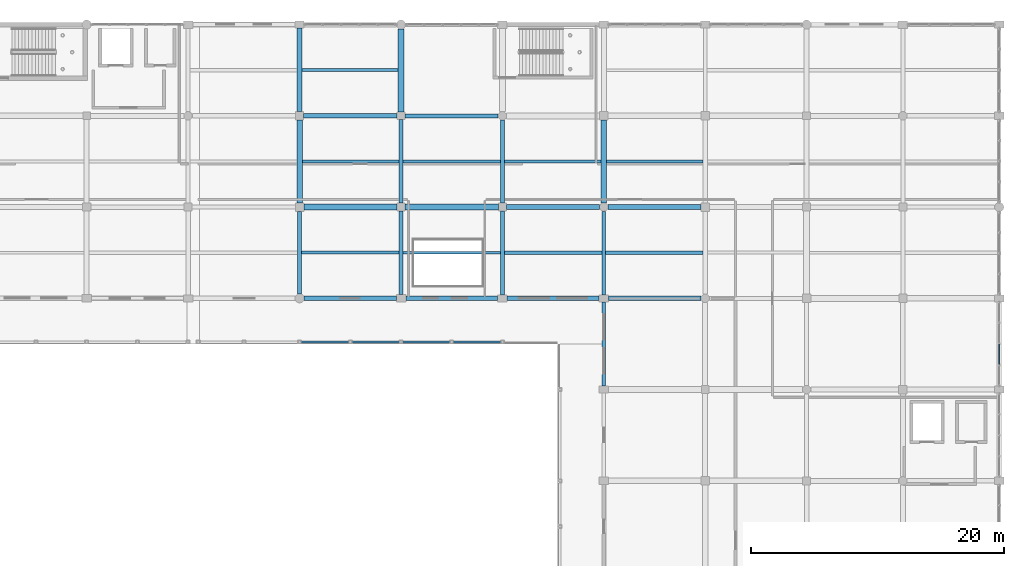
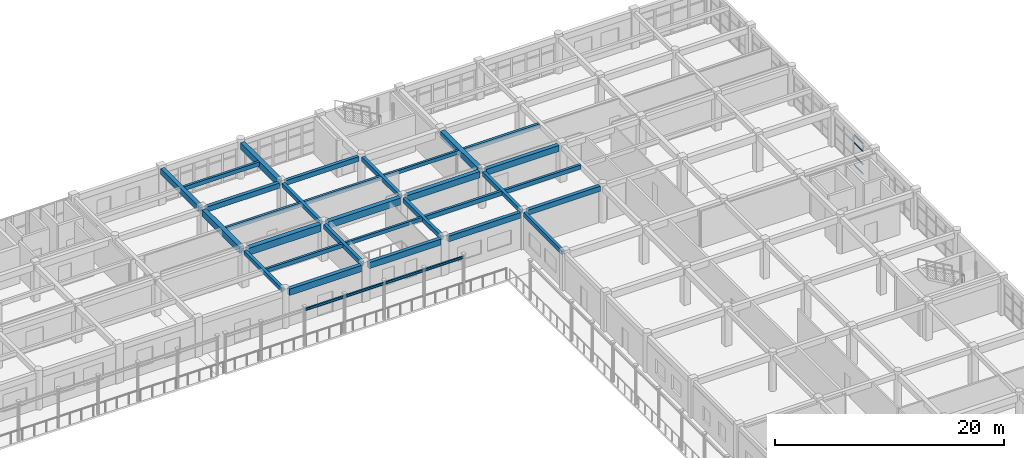
# One storey, part 134 of 195: 32 beams, 4 members, 1 element without a shape of its own.
"""IFC4 building model written with IfcOpenShell, lengths in metres."""

import ifcopenshell
import ifcopenshell.guid

model = None  # the IFC model being written
_history = None  # IfcOwnerHistory: only IFC2X3 demands one
_inside = {}  # id of a spatial element -> (the spatial element, [elements in it])
_under = {}  # id of a project, library or spatial element -> (it, [spatial elements below it])
_declared = {}  # id of a project -> (the project, [libraries it declares])
_typed = {}  # id of a type object -> (the type object, [elements of that type])
_made_of = {}  # id of a material, layer set ... -> (it, [elements and type objects made of it])


def new_model(schema):
    """Start an empty IFC model of exactly this schema.

    Asked for "IFC4X3", IfcOpenShell would pick the latest addendum, in which some entities
    have other attributes; the version numbers below select the first issue.
    IFC2X3 requires an IfcOwnerHistory on every rooted entity: one is made here for all.
    """
    global model, _history
    if schema == "IFC4X3":
        model = ifcopenshell.file(schema_version=(4, 3, 0, 0))
    else:
        model = ifcopenshell.file(schema=schema)
    _inside.clear()
    _under.clear()
    _declared.clear()
    _typed.clear()
    _made_of.clear()
    _history = None
    if model.schema == "IFC2X3":
        org = make("IfcOrganization", Name="unknown")
        user = make(
            "IfcPersonAndOrganization",
            ThePerson=make("IfcPerson", FamilyName="unknown"),
            TheOrganization=org,
        )
        app = make(
            "IfcApplication",
            ApplicationDeveloper=org,
            Version="unknown",
            ApplicationFullName="unknown",
            ApplicationIdentifier="unknown",
        )
        _history = make(
            "IfcOwnerHistory",
            OwningUser=user,
            OwningApplication=app,
            ChangeAction="ADDED",
            CreationDate=0,
        )
    return model


def make(cls, **values):
    """One entity of the class cls with the attributes given. An attribute that is None is left unset."""
    return model.create_entity(
        cls, **{name: value for name, value in values.items() if value is not None}
    )


def rooted(cls, **values):
    """An entity with a GlobalId (a new one), such as an element, a storey or a relation."""
    return make(cls, GlobalId=ifcopenshell.guid.new(), OwnerHistory=_history, **values)


def si_unit(unit_type, name, prefix=None):
    """IfcSIUnit, for example si_unit("LENGTHUNIT", "METRE", prefix="MILLI")."""
    return make("IfcSIUnit", UnitType=unit_type, Prefix=prefix, Name=name)


def assignment(units):
    """IfcUnitAssignment: the units of a project."""
    return None if units is None else make("IfcUnitAssignment", Units=units)


def point(xyz):
    """IfcCartesianPoint."""
    return None if xyz is None else make("IfcCartesianPoint", Coordinates=xyz)


def direction(xyz):
    """IfcDirection."""
    return None if xyz is None else make("IfcDirection", DirectionRatios=xyz)


def frame(location, z_axis=None, x_axis=None):
    """IfcAxis2Placement3D, a coordinate frame: its origin and axes. An axis left out is left unset."""
    return make(
        "IfcAxis2Placement3D",
        Location=point(location),
        Axis=direction(z_axis),
        RefDirection=direction(x_axis),
    )


def frame_2d(location, x_axis=None):
    """IfcAxis2Placement2D, a coordinate frame in the plane: its origin and x axis."""
    return make(
        "IfcAxis2Placement2D", Location=point(location), RefDirection=direction(x_axis)
    )


def origin():
    """The frame at (0, 0, 0) with its axes left unset."""
    return frame((0.0, 0.0, 0.0))


def origin_2d():
    """The frame at (0, 0) in the plane with its x axis left unset."""
    return frame_2d((0.0, 0.0))


def place(relative_to, where):
    """IfcLocalPlacement: puts the frame where relative to a parent placement (None: the world)."""
    return make(
        "IfcLocalPlacement", PlacementRelTo=relative_to, RelativePlacement=where
    )


def context(
    kind, dimensions, precision=None, world=None, true_north=None, identifier=None
):
    """IfcGeometricRepresentationContext, for example the 3D "Model" context."""
    return make(
        "IfcGeometricRepresentationContext",
        ContextIdentifier=identifier,
        ContextType=kind,
        CoordinateSpaceDimension=dimensions,
        Precision=precision,
        WorldCoordinateSystem=world,
        TrueNorth=true_north,
    )


def subcontext(parent, identifier, kind, view, scale=None):
    """IfcGeometricRepresentationSubContext, for example "Body" below "Model"."""
    return make(
        "IfcGeometricRepresentationSubContext",
        ContextIdentifier=identifier,
        ContextType=kind,
        ParentContext=parent,
        TargetScale=scale,
        TargetView=view,
    )


def project(units=None, contexts=None):
    """IfcProject with its units and contexts."""
    return rooted(
        "IfcProject",
        Name="project",
        RepresentationContexts=contexts,
        UnitsInContext=assignment(units),
    )


def spatial(cls, under=None, at=None, **own):
    """A site, building, storey or space (cls), placed at a placement, below another one or the project."""
    s = rooted(cls, ObjectPlacement=at, **own)
    if under is not None:
        _under.setdefault(under.id(), (under, []))[1].append(s)
    return s


def profile(cls, at=None, kind="AREA", **sizes):
    """A parametric profile (cls). Its sizes go by their IFC names, for example OverallWidth=200.0."""
    return make(cls, ProfileType=kind, Position=at, **sizes)


def rectangle(**sizes):
    """IfcRectangleProfileDef."""
    return profile("IfcRectangleProfileDef", **sizes)


def hollow_rectangle(**sizes):
    """IfcRectangleHollowProfileDef."""
    return profile("IfcRectangleHollowProfileDef", **sizes)


def i_section(**sizes):
    """IfcIShapeProfileDef."""
    return profile("IfcIShapeProfileDef", **sizes)


def extrude(swept, where, along, depth):
    """IfcExtrudedAreaSolid: the profile swept, set in the frame where, extruded along a direction by depth."""
    return make(
        "IfcExtrudedAreaSolid",
        SweptArea=swept,
        Position=where,
        ExtrudedDirection=direction(along),
        Depth=depth,
    )


def shape(context_of_items, identifier, shape_type, items):
    """IfcShapeRepresentation: the items that make up one representation, for example the "Body"."""
    return make(
        "IfcShapeRepresentation",
        ContextOfItems=context_of_items,
        RepresentationIdentifier=identifier,
        RepresentationType=shape_type,
        Items=items,
    )


def material(Name=None, Category=None):
    """IfcMaterial."""
    return make("IfcMaterial", Name=Name, Category=Category)


def material_profile(
    of_material, cross_section, Name=None, Category=None, Priority=None
):
    """IfcMaterialProfile: a cross section and its material."""
    return make(
        "IfcMaterialProfile",
        Name=Name,
        Material=of_material,
        Profile=cross_section,
        Priority=Priority,
        Category=Category,
    )


def profile_set(profiles, Name=None, composite=None):
    """IfcMaterialProfileSet."""
    return make(
        "IfcMaterialProfileSet",
        Name=Name,
        MaterialProfiles=profiles,
        CompositeProfile=composite,
    )


def made_of(thing, what):
    """Note that an element or type object is made of a material, layer set ...; save() writes the relation."""
    if what is not None:
        _made_of.setdefault(what.id(), (what, []))[1].append(thing)
    return thing


def type_object(cls, material=None, **own):
    """A type object (cls), such as IfcWallType, which elements share."""
    return made_of(rooted(cls, **own), material)


def element(
    cls,
    number,
    at=None,
    inside=None,
    cuts=None,
    type_object=None,
    material=None,
    context=None,
    identifier="Body",
    shape_type=None,
    held_by="IfcProductDefinitionShape",
    body=None,
    shapes=None,
    **own,
):
    """One element of the class cls, such as IfcWall. Its Tag is "e" and its number.

    at: its placement. inside: the storey or other place that contains it. cuts: it is an
    opening in that element (IfcRelVoidsElement). A single representation is given by context,
    identifier, shape_type and body (its items); several are given by shapes. held_by: the class
    of the entity that holds the representations. save() writes the other relations.
    """
    e = rooted(cls, Tag="e%d" % number, ObjectPlacement=at, **own)
    if body is not None:
        shapes = [shape(context, identifier, shape_type, body)]
    if shapes is not None:
        e.Representation = make(held_by, Representations=shapes)
    if inside is not None:
        _inside.setdefault(inside.id(), (inside, []))[1].append(e)
    if cuts is not None:
        rooted(
            "IfcRelVoidsElement", RelatingBuildingElement=cuts, RelatedOpeningElement=e
        )
    if type_object is not None:
        _typed.setdefault(type_object.id(), (type_object, []))[1].append(e)
    return made_of(e, material)


def aggregate(whole, parts):
    """IfcRelAggregates: a whole, such as a stair, and the parts it consists of."""
    return rooted("IfcRelAggregates", RelatingObject=whole, RelatedObjects=parts)


def save(model, path):
    """Write the relations noted so far, then the file.

    IfcRelAggregates (storeys below a building ...), IfcRelContainedInSpatialStructure (elements
    in a storey), IfcRelDefinesByType, IfcRelAssociatesMaterial and IfcRelDeclares: one each for
    every whole, place, type object, material and project.
    """
    for whole, parts in _under.values():
        aggregate(whole, parts)
    for where, things in _inside.values():
        rooted(
            "IfcRelContainedInSpatialStructure",
            RelatedElements=things,
            RelatingStructure=where,
        )
    for kind, things in _typed.values():
        rooted("IfcRelDefinesByType", RelatedObjects=things, RelatingType=kind)
    for what, things in _made_of.values():
        rooted("IfcRelAssociatesMaterial", RelatedObjects=things, RelatingMaterial=what)
    for by, libraries in _declared.values():
        rooted("IfcRelDeclares", RelatingContext=by, RelatedDefinitions=libraries)
    model.write(path)


model = new_model("IFC4")

# Units and contexts
model_context = context("Model", 3, precision=1e-05, world=origin(), true_north=direction((0.0, 1.0)))
body_context = subcontext(model_context, "Body", "Model", "MODEL_VIEW")
ifc_project = project(units=[si_unit("LENGTHUNIT", "METRE"), si_unit("AREAUNIT", "SQUARE_METRE"), si_unit("VOLUMEUNIT", "CUBIC_METRE"), si_unit("PLANEANGLEUNIT", "RADIAN"), si_unit("MASSUNIT", "GRAM", prefix="KILO")], contexts=[model_context])

# Site, building, storey
site_placement = place(None, origin())
site = spatial("IfcSite", under=ifc_project, at=site_placement, CompositionType="ELEMENT")
building_placement = place(site_placement, origin())
building = spatial("IfcBuilding", under=site, at=building_placement, Name="Kharva Crest Polytechnic", CompositionType="ELEMENT")
storey_placement = place(building_placement, frame((0.0, 0.0, 9.0)))
storey = spatial("IfcBuildingStorey", under=building, at=storey_placement, Name="L02", CompositionType="ELEMENT", Elevation=9.0)

# Beams
ifc_material_1 = material(Name="Concrete C35/45", Category="concrete")
ifc_material_profile_1 = material_profile(ifc_material_1, rectangle(XDim=0.300048828125, YDim=0.449951171875, at=origin_2d()), Name="RECT 300 X 450")
ifc_profile_set_1 = profile_set([ifc_material_profile_1], Name="Concrete C35/45")
beam_type_1 = type_object("IfcBeamType", Name="BM-RC-300X450", PredefinedType="BEAM", material=ifc_profile_set_1)
beam_1_placement = place(storey_placement, frame((128.800048828125, 100.760009765625, 3.695068359375), z_axis=(0.0, 1.0, 0.0), x_axis=(-1.0, 0.0, 0.0)))
element("IfcBeam", 1, at=beam_1_placement, inside=storey, type_object=beam_type_1, Name="L02 Girder 17/P-Q", PredefinedType="BEAM", context=body_context, shape_type="SweptSolid", body=[
    extrude(rectangle(XDim=0.300048828125, YDim=0.449951171875, at=origin_2d()), origin(), (0.0, 0.0, 1.0), 6.5),
])
beam_2_placement = place(storey_placement, frame((136.800048828125, 107.925048828125, 3.695068359375), z_axis=(0.0, 1.0, 0.0), x_axis=(-1.0, 0.0, 0.0)))
element("IfcBeam", 2, at=beam_2_placement, inside=storey, type_object=beam_type_1, Name="L02 Girder 18/Q-R", PredefinedType="BEAM", context=body_context, shape_type="SweptSolid", body=[
    extrude(rectangle(XDim=0.300048828125, YDim=0.449951171875, at=origin_2d()), origin(), (0.0, 0.0, 1.0), 6.56494140625),
])
beam_3_placement = place(storey_placement, frame((144.800048828125, 107.909912109375, 3.695068359375), z_axis=(0.0, 1.0, 0.0), x_axis=(-1.0, 0.0, 0.0)))
element("IfcBeam", 3, at=beam_3_placement, inside=storey, type_object=beam_type_1, Name="L02 Girder 19/Q-R", PredefinedType="BEAM", context=body_context, shape_type="SweptSolid", body=[
    extrude(rectangle(XDim=0.300048828125, YDim=0.449951171875, at=origin_2d()), origin(), (0.0, 0.0, 1.0), 6.56005859375),
])
beam_4_placement = place(storey_placement, frame((152.800048828125, 100.675048828125, 3.695068359375), z_axis=(0.0, 1.0, 0.0), x_axis=(-1.0, 0.0, 0.0)))
element("IfcBeam", 4, at=beam_4_placement, inside=storey, type_object=beam_type_1, Name="L02 Girder 20/P-Q", PredefinedType="BEAM", context=body_context, shape_type="SweptSolid", body=[
    extrude(rectangle(XDim=0.300048828125, YDim=0.449951171875, at=origin_2d()), origin(), (0.0, 0.0, 1.0), 6.594970703125),
])
ifc_material_profile_2 = material_profile(ifc_material_1, rectangle(XDim=0.300048828125, YDim=0.47998046875, at=origin_2d()), Name="RECT 300 X 480")
ifc_profile_set_2 = profile_set([ifc_material_profile_2], Name="Concrete C35/45")
beam_type_2 = type_object("IfcBeamType", Name="BM-RC-300X480", PredefinedType="BEAM", material=ifc_profile_set_2)
beam_5_placement = place(storey_placement, frame((136.800048828125, 100.699951171875, 3.679931640625), z_axis=(0.0, 1.0, 0.0), x_axis=(-1.0, 0.0, 0.0)))
element("IfcBeam", 5, at=beam_5_placement, inside=storey, type_object=beam_type_2, Name="L02 Girder 18/P-Q", PredefinedType="BEAM", context=body_context, shape_type="SweptSolid", body=[
    extrude(rectangle(XDim=0.300048828125, YDim=0.47998046875, at=origin_2d()), origin(), (0.0, 0.0, 1.0), 6.574951171875),
])
beam_6_placement = place(storey_placement, frame((144.800048828125, 100.675048828125, 3.679931640625), z_axis=(0.0, 1.0, 0.0), x_axis=(-1.0, 0.0, 0.0)))
element("IfcBeam", 6, at=beam_6_placement, inside=storey, type_object=beam_type_2, Name="L02 Girder 19/P-Q", PredefinedType="BEAM", context=body_context, shape_type="SweptSolid", body=[
    extrude(rectangle(XDim=0.300048828125, YDim=0.47998046875, at=origin_2d()), origin(), (0.0, 0.0, 1.0), 6.614990234375),
])
ifc_material_profile_3 = material_profile(ifc_material_1, rectangle(XDim=0.320068359375, YDim=0.5, at=origin_2d()), Name="RECT 320 X 500")
ifc_profile_set_3 = profile_set([ifc_material_profile_3], Name="Concrete C35/45")
beam_type_3 = type_object("IfcBeamType", Name="BM-RC-320X500", PredefinedType="BEAM", material=ifc_profile_set_3)
beam_7_placement = place(storey_placement, frame((137.110107421875, 114.800048828125, 3.669921875), z_axis=(1.0, 0.0, 0.0), x_axis=(0.0, 1.0, 0.0)))
element("IfcBeam", 7, at=beam_7_placement, inside=storey, type_object=beam_type_3, Name="L02 Beam R/18-19", PredefinedType="BEAM", context=body_context, shape_type="SweptSolid", body=[
    extrude(rectangle(XDim=0.320068359375, YDim=0.5, at=origin_2d()), origin(), (0.0, 0.0, 1.0), 7.35986328125),
])
ifc_material_profile_4 = material_profile(ifc_material_1, rectangle(XDim=0.35009765625, YDim=0.550048828125, at=origin_2d()), Name="RECT 350 X 550")
ifc_profile_set_4 = profile_set([ifc_material_profile_4], Name="Concrete C35/45")
beam_type_4 = type_object("IfcBeamType", Name="BM-RC-350X550", PredefinedType="BEAM", material=ifc_profile_set_4)
beam_8_placement = place(storey_placement, frame((153.159912109375, 100.39990234375, 3.64501953125), z_axis=(1.0, 0.0, 0.0), x_axis=(0.0, 1.0, 0.0)))
element("IfcBeam", 8, at=beam_8_placement, inside=storey, type_object=beam_type_4, Name="L02 Beam P/20-21", PredefinedType="BEAM", context=body_context, shape_type="SweptSolid", body=[
    extrude(rectangle(XDim=0.35009765625, YDim=0.550048828125, at=origin_2d()), origin(), (0.0, 0.0, 1.0), 7.31005859375),
])
beam_9_placement = place(storey_placement, frame((129.125, 114.800048828125, 3.64501953125), z_axis=(1.0, 0.0, 0.0), x_axis=(0.0, 1.0, 0.0)))
element("IfcBeam", 9, at=beam_9_placement, inside=storey, type_object=beam_type_4, Name="L02 Beam R/17-18", PredefinedType="BEAM", context=body_context, shape_type="SweptSolid", body=[
    extrude(rectangle(XDim=0.35009765625, YDim=0.550048828125, at=origin_2d()), origin(), (0.0, 0.0, 1.0), 7.364990234375),
])
ifc_material_profile_5 = material_profile(ifc_material_1, rectangle(XDim=0.39990234375, YDim=0.6201171875, at=origin_2d()), Name="RECT 400 X 620")
ifc_profile_set_5 = profile_set([ifc_material_profile_5], Name="Concrete C35/45")
beam_type_5 = type_object("IfcBeamType", Name="BM-RC-400X620", PredefinedType="BEAM", material=ifc_profile_set_5)
beam_10_placement = place(storey_placement, frame((128.800048828125, 115.125, 3.610107421875), z_axis=(0.0, 1.0, 0.0), x_axis=(-1.0, 0.0, 0.0)))
element("IfcBeam", 10, at=beam_10_placement, inside=storey, type_object=beam_type_5, Name="L02 Girder 17/R-S", PredefinedType="BEAM", context=body_context, shape_type="SweptSolid", body=[
    extrude(rectangle(XDim=0.39990234375, YDim=0.6201171875, at=origin_2d()), origin(), (0.0, 0.0, 1.0), 6.60009765625),
])
ifc_material_profile_6 = material_profile(ifc_material_1, rectangle(XDim=0.39990234375, YDim=0.64990234375, at=origin_2d()), Name="RECT 400 X 650")
ifc_profile_set_6 = profile_set([ifc_material_profile_6], Name="Concrete C35/45")
beam_type_6 = type_object("IfcBeamType", Name="BM-RC-400X650", PredefinedType="BEAM", material=ifc_profile_set_6)
beam_11_placement = place(storey_placement, frame((153.1298828125, 107.60009765625, 3.594970703125), z_axis=(1.0, 0.0, 0.0), x_axis=(0.0, 1.0, 0.0)))
element("IfcBeam", 11, at=beam_11_placement, inside=storey, type_object=beam_type_6, Name="L02 Beam Q/20-21", PredefinedType="BEAM", context=body_context, shape_type="SweptSolid", body=[
    extrude(rectangle(XDim=0.39990234375, YDim=0.64990234375, at=origin_2d()), origin(), (0.0, 0.0, 1.0), 7.330078125),
])
ifc_material_profile_7 = material_profile(ifc_material_1, rectangle(XDim=0.419921875, YDim=0.659912109375, at=origin_2d()), Name="RECT 420 X 660")
ifc_profile_set_7 = profile_set([ifc_material_profile_7], Name="Concrete C35/45")
beam_type_7 = type_object("IfcBeamType", Name="BM-RC-420X660", PredefinedType="BEAM", material=ifc_profile_set_7)
beam_12_placement = place(storey_placement, frame((145.110107421875, 107.60009765625, 3.590087890625), z_axis=(1.0, 0.0, 0.0), x_axis=(0.0, 1.0, 0.0)))
element("IfcBeam", 12, at=beam_12_placement, inside=storey, type_object=beam_type_7, Name="L02 Beam Q/19-20", PredefinedType="BEAM", context=body_context, shape_type="SweptSolid", body=[
    extrude(rectangle(XDim=0.419921875, YDim=0.659912109375, at=origin_2d()), origin(), (0.0, 0.0, 1.0), 7.35986328125),
])
ifc_material_profile_8 = material_profile(ifc_material_1, rectangle(XDim=0.449951171875, YDim=0.679931640625, at=origin_2d()), Name="RECT 450 X 680")
ifc_profile_set_8 = profile_set([ifc_material_profile_8], Name="Concrete C35/45")
beam_type_8 = type_object("IfcBeamType", Name="BM-RC-450X680", PredefinedType="BEAM", material=ifc_profile_set_8)
beam_13_placement = place(storey_placement, frame((128.800048828125, 107.93994140625, 3.580078125), z_axis=(0.0, 1.0, 0.0), x_axis=(-1.0, 0.0, 0.0)))
element("IfcBeam", 13, at=beam_13_placement, inside=storey, type_object=beam_type_8, Name="L02 Girder 17/Q-R", PredefinedType="BEAM", context=body_context, shape_type="SweptSolid", body=[
    extrude(rectangle(XDim=0.449951171875, YDim=0.679931640625, at=origin_2d()), origin(), (0.0, 0.0, 1.0), 6.53515625),
])
beam_14_placement = place(storey_placement, frame((136.800048828125, 115.110107421875, 3.580078125), z_axis=(0.0, 1.0, 0.0), x_axis=(-1.0, 0.0, 0.0)))
element("IfcBeam", 14, at=beam_14_placement, inside=storey, type_object=beam_type_8, Name="L02 Girder 18/R-S", PredefinedType="BEAM", context=body_context, shape_type="SweptSolid", body=[
    extrude(rectangle(XDim=0.449951171875, YDim=0.679931640625, at=origin_2d()), origin(), (0.0, 0.0, 1.0), 6.52978515625),
])
beam_15_placement = place(storey_placement, frame((152.800048828125, 107.929931640625, 3.580078125), z_axis=(0.0, 1.0, 0.0), x_axis=(-1.0, 0.0, 0.0)))
element("IfcBeam", 15, at=beam_15_placement, inside=storey, type_object=beam_type_8, Name="L02 Girder 20/Q-R", PredefinedType="BEAM", context=body_context, shape_type="SweptSolid", body=[
    extrude(rectangle(XDim=0.449951171875, YDim=0.679931640625, at=origin_2d()), origin(), (0.0, 0.0, 1.0), 6.530029296875),
])
ifc_material_profile_9 = material_profile(ifc_material_1, rectangle(XDim=0.449951171875, YDim=0.719970703125, at=origin_2d()), Name="RECT 450 X 720")
ifc_profile_set_9 = profile_set([ifc_material_profile_9], Name="Concrete C35/45")
beam_type_9 = type_object("IfcBeamType", Name="BM-RC-450X720", PredefinedType="BEAM", material=ifc_profile_set_9)
beam_16_placement = place(storey_placement, frame((137.125, 107.60009765625, 3.56005859375), z_axis=(1.0, 0.0, 0.0), x_axis=(0.0, 1.0, 0.0)))
element("IfcBeam", 16, at=beam_16_placement, inside=storey, type_object=beam_type_9, Name="L02 Beam Q/18-19", PredefinedType="BEAM", context=body_context, shape_type="SweptSolid", body=[
    extrude(rectangle(XDim=0.449951171875, YDim=0.719970703125, at=origin_2d()), origin(), (0.0, 0.0, 1.0), 7.364990234375),
])
ifc_material_profile_10 = material_profile(ifc_material_1, rectangle(XDim=0.47998046875, YDim=0.75, at=origin_2d()), Name="RECT 480 X 750")
ifc_profile_set_10 = profile_set([ifc_material_profile_10], Name="Concrete C35/45")
beam_type_10 = type_object("IfcBeamType", Name="BM-RC-480X750", PredefinedType="BEAM", material=ifc_profile_set_10)
beam_17_placement = place(storey_placement, frame((129.139892578125, 107.60009765625, 3.544921875), z_axis=(1.0, 0.0, 0.0), x_axis=(0.0, 1.0, 0.0)))
element("IfcBeam", 17, at=beam_17_placement, inside=storey, type_object=beam_type_10, Name="L02 Beam Q/17-18", PredefinedType="BEAM", context=body_context, shape_type="SweptSolid", body=[
    extrude(rectangle(XDim=0.47998046875, YDim=0.75, at=origin_2d()), origin(), (0.0, 0.0, 1.0), 7.335205078125),
])
ifc_material_2 = material(Name="Steel S355", Category="steel")
ifc_material_profile_11 = material_profile(ifc_material_2, i_section(OverallWidth=0.14794921875, OverallDepth=0.26611328125, WebThickness=0.007568359375, FlangeThickness=0.012939453125, at=origin_2d()), Name="W250X44.8")
ifc_profile_set_11 = profile_set([ifc_material_profile_11], Name="Steel S355")
beam_type_11 = type_object("IfcBeamType", Name="BM-STL-W250X44", PredefinedType="SPANDREL", material=ifc_profile_set_11)
for number, where, z_axis, x_axis, name in (
    (18, (128.820068359375, 96.949951171875, 3.85693359375), (1.0, 0.0, 0.0), (0.0, 1.0, 0.0), "L02 North Veranda Beam 11"),
    (19, (136.820068359375, 96.949951171875, 3.85693359375), (1.0, 0.0, 0.0), (0.0, 1.0, 0.0), "L02 North Veranda Beam 12"),
):
    element("IfcBeam", number, at=place(storey_placement, frame(where, z_axis=z_axis, x_axis=x_axis)), inside=storey, type_object=beam_type_11, Name=name, PredefinedType="SPANDREL", context=body_context, shape_type="SweptSolid", body=[
        extrude(i_section(OverallWidth=0.14794921875, OverallDepth=0.26611328125, WebThickness=0.007568359375, FlangeThickness=0.012939453125, at=origin_2d()), origin(), (0.0, 0.0, 1.0), 7.9599609375),
    ])

# Curtain wall, members
ifc_material_3 = material(Name="Tempered insulated glass", Category="glass")
curtain_wall_type = type_object("IfcCurtainWallType", Name="CW-SYS-COURT", PredefinedType="USERDEFINED", material=ifc_material_3)
curtain_wall_placement = place(storey_placement, origin())
curtain_wall = element("IfcCurtainWall", 20, at=curtain_wall_placement, inside=storey, type_object=curtain_wall_type, Name="L02 Glazed Curtain Wall CW-109", ObjectType="CURTAIN WALL", PredefinedType="USERDEFINED")
ifc_material_profile_12 = material_profile(ifc_material_2, hollow_rectangle(XDim=0.06005859375, YDim=0.1201171875, WallThickness=0.00390625, at=origin_2d()), Name="RHS 120X60X4.0")
ifc_profile_set_12 = profile_set([ifc_material_profile_12], Name="Steel S355")
member_type = type_object("IfcMemberType", Name="CWT-RHS120X60", PredefinedType="USERDEFINED", material=ifc_profile_set_12)
member_1_placement = place(storey_placement, frame((184.0, 95.179931640625, 0.06005859375), z_axis=(0.0, 1.0, 0.0), x_axis=(-1.0, 0.0, 0.0)))
member_1 = element("IfcMember", 21, at=member_1_placement, type_object=member_type, Name="CW-109 transom 2.1", ObjectType="TRANSOM", PredefinedType="USERDEFINED", context=body_context, shape_type="SweptSolid", body=[
    extrude(hollow_rectangle(XDim=0.06005859375, YDim=0.1201171875, WallThickness=0.00390625, at=origin_2d()), origin(), (0.0, 0.0, 1.0), 1.580078125),
])
member_2_placement = place(storey_placement, frame((184.0, 95.179931640625, 1.050048828125), z_axis=(0.0, 1.0, 0.0), x_axis=(-1.0, 0.0, 0.0)))
member_2 = element("IfcMember", 22, at=member_2_placement, type_object=member_type, Name="CW-109 transom 2.2", ObjectType="TRANSOM", PredefinedType="USERDEFINED", context=body_context, shape_type="SweptSolid", body=[
    extrude(hollow_rectangle(XDim=0.06005859375, YDim=0.1201171875, WallThickness=0.00390625, at=origin_2d()), origin(), (0.0, 0.0, 1.0), 1.580078125),
])
member_3_placement = place(storey_placement, frame((184.0, 95.179931640625, 2.449951171875), z_axis=(0.0, 1.0, 0.0), x_axis=(-1.0, 0.0, 0.0)))
member_3 = element("IfcMember", 23, at=member_3_placement, type_object=member_type, Name="CW-109 transom 2.3", ObjectType="TRANSOM", PredefinedType="USERDEFINED", context=body_context, shape_type="SweptSolid", body=[
    extrude(hollow_rectangle(XDim=0.06005859375, YDim=0.1201171875, WallThickness=0.00390625, at=origin_2d()), origin(), (0.0, 0.0, 1.0), 1.580078125),
])
member_4_placement = place(storey_placement, frame((184.0, 95.179931640625, 3.280029296875), z_axis=(0.0, 1.0, 0.0), x_axis=(-1.0, 0.0, 0.0)))
member_4 = element("IfcMember", 24, at=member_4_placement, type_object=member_type, Name="CW-109 transom 2.4", ObjectType="TRANSOM", PredefinedType="USERDEFINED", context=body_context, shape_type="SweptSolid", body=[
    extrude(hollow_rectangle(XDim=0.06005859375, YDim=0.1201171875, WallThickness=0.00390625, at=origin_2d()), origin(), (0.0, 0.0, 1.0), 1.580078125),
])
aggregate(curtain_wall, [member_1, member_2, member_3, member_4])

# Beams
ifc_material_profile_13 = material_profile(ifc_material_1, rectangle(XDim=0.219970703125, YDim=0.3798828125, at=origin_2d()), Name="RECT 220 X 380")
ifc_profile_set_13 = profile_set([ifc_material_profile_13], Name="Concrete C35/45")
beam_type_12 = type_object("IfcBeamType", Name="JS-RC-220X380", PredefinedType="JOIST", material=ifc_profile_set_13)
beam_18_placement = place(storey_placement, frame((136.949951171875, 104.0, 3.72998046875), z_axis=(1.0, 0.0, 0.0), x_axis=(0.0, 1.0, 0.0)))
element("IfcBeam", 25, at=beam_18_placement, inside=storey, type_object=beam_type_12, Name="L02 Floor Joist 28", PredefinedType="JOIST", context=body_context, shape_type="SweptSolid", body=[
    extrude(rectangle(XDim=0.219970703125, YDim=0.3798828125, at=origin_2d()), origin(), (0.0, 0.0, 1.0), 7.699951171875),
])
beam_19_placement = place(storey_placement, frame((144.949951171875, 111.199951171875, 3.72998046875), z_axis=(1.0, 0.0, 0.0), x_axis=(0.0, 1.0, 0.0)))
element("IfcBeam", 26, at=beam_19_placement, inside=storey, type_object=beam_type_12, Name="L02 Floor Joist 48", PredefinedType="JOIST", context=body_context, shape_type="SweptSolid", body=[
    extrude(rectangle(XDim=0.219970703125, YDim=0.3798828125, at=origin_2d()), origin(), (0.0, 0.0, 1.0), 7.625),
])
ifc_material_profile_14 = material_profile(ifc_material_1, rectangle(XDim=0.239990234375, YDim=0.419921875, at=origin_2d()), Name="RECT 240 X 420")
ifc_profile_set_14 = profile_set([ifc_material_profile_14], Name="Concrete C35/45")
beam_type_13 = type_object("IfcBeamType", Name="JS-RC-240X420", PredefinedType="JOIST", material=ifc_profile_set_14)
for number, where, z_axis, x_axis, name in (
    (27, (128.949951171875, 104.0, 3.7099609375), (1.0, 0.0, 0.0), (0.0, 1.0, 0.0), "L02 Floor Joist 27"),
    (28, (136.949951171875, 111.199951171875, 3.7099609375), (1.0, 0.0, 0.0), (0.0, 1.0, 0.0), "L02 Floor Joist 47"),
):
    element("IfcBeam", number, at=place(storey_placement, frame(where, z_axis=z_axis, x_axis=x_axis)), inside=storey, type_object=beam_type_13, Name=name, PredefinedType="JOIST", context=body_context, shape_type="SweptSolid", body=[
        extrude(rectangle(XDim=0.239990234375, YDim=0.419921875, at=origin_2d()), origin(), (0.0, 0.0, 1.0), 7.699951171875),
    ])
beam_20_placement = place(storey_placement, frame((129.0, 118.39990234375, 3.7099609375), z_axis=(1.0, 0.0, 0.0), x_axis=(0.0, 1.0, 0.0)))
element("IfcBeam", 29, at=beam_20_placement, inside=storey, type_object=beam_type_13, Name="L02 Floor Joist 59", PredefinedType="JOIST", context=body_context, shape_type="SweptSolid", body=[
    extrude(rectangle(XDim=0.239990234375, YDim=0.419921875, at=origin_2d()), origin(), (0.0, 0.0, 1.0), 7.574951171875),
])
ifc_material_profile_15 = material_profile(ifc_material_1, rectangle(XDim=0.25, YDim=0.43994140625, at=origin_2d()), Name="RECT 250 X 440")
ifc_profile_set_15 = profile_set([ifc_material_profile_15], Name="Concrete C35/45")
beam_type_14 = type_object("IfcBeamType", Name="JS-RC-250X440", PredefinedType="JOIST", material=ifc_profile_set_15)
beam_21_placement = place(storey_placement, frame((152.949951171875, 104.0, 3.699951171875), z_axis=(1.0, 0.0, 0.0), x_axis=(0.0, 1.0, 0.0)))
element("IfcBeam", 30, at=beam_21_placement, inside=storey, type_object=beam_type_14, Name="L02 Floor Joist 30", PredefinedType="JOIST", context=body_context, shape_type="SweptSolid", body=[
    extrude(rectangle(XDim=0.25, YDim=0.43994140625, at=origin_2d()), origin(), (0.0, 0.0, 1.0), 7.670166015625),
])
beam_22_placement = place(storey_placement, frame((129.02490234375, 111.199951171875, 3.699951171875), z_axis=(1.0, 0.0, 0.0), x_axis=(0.0, 1.0, 0.0)))
element("IfcBeam", 31, at=beam_22_placement, inside=storey, type_object=beam_type_14, Name="L02 Floor Joist 46", PredefinedType="JOIST", context=body_context, shape_type="SweptSolid", body=[
    extrude(rectangle(XDim=0.25, YDim=0.43994140625, at=origin_2d()), origin(), (0.0, 0.0, 1.0), 7.625),
])
ifc_material_profile_16 = material_profile(ifc_material_1, rectangle(XDim=0.260009765625, YDim=0.4599609375, at=origin_2d()), Name="RECT 260 X 460")
ifc_profile_set_16 = profile_set([ifc_material_profile_16], Name="Concrete C35/45")
beam_type_15 = type_object("IfcBeamType", Name="JS-RC-260X460", PredefinedType="JOIST", material=ifc_profile_set_16)
beam_23_placement = place(storey_placement, frame((144.949951171875, 104.0, 3.68994140625), z_axis=(1.0, 0.0, 0.0), x_axis=(0.0, 1.0, 0.0)))
element("IfcBeam", 32, at=beam_23_placement, inside=storey, type_object=beam_type_15, Name="L02 Floor Joist 29", PredefinedType="JOIST", context=body_context, shape_type="SweptSolid", body=[
    extrude(rectangle(XDim=0.260009765625, YDim=0.4599609375, at=origin_2d()), origin(), (0.0, 0.0, 1.0), 7.699951171875),
])
beam_24_placement = place(storey_placement, frame((153.02490234375, 111.199951171875, 3.68994140625), z_axis=(1.0, 0.0, 0.0), x_axis=(0.0, 1.0, 0.0)))
element("IfcBeam", 33, at=beam_24_placement, inside=storey, type_object=beam_type_15, Name="L02 Floor Joist 49", PredefinedType="JOIST", context=body_context, shape_type="SweptSolid", body=[
    extrude(rectangle(XDim=0.260009765625, YDim=0.4599609375, at=origin_2d()), origin(), (0.0, 0.0, 1.0), 7.60498046875),
])
ifc_material_profile_17 = material_profile(ifc_material_1, rectangle(XDim=0.280029296875, YDim=0.4599609375, at=origin_2d()), Name="RECT 280 X 460")
ifc_profile_set_17 = profile_set([ifc_material_profile_17], Name="Concrete C35/45")
beam_type_16 = type_object("IfcBeamType", Name="SP-RC-280X460", PredefinedType="SPANDREL", material=ifc_profile_set_17)
beam_25_placement = place(storey_placement, frame((152.800048828125, 93.47509765625, 3.68994140625), z_axis=(0.0, 1.0, 0.0), x_axis=(-1.0, 0.0, 0.0)))
element("IfcBeam", 34, at=beam_25_placement, inside=storey, type_object=beam_type_16, Name="L02 Girder 20/N-P", PredefinedType="SPANDREL", context=body_context, shape_type="SweptSolid", body=[
    extrude(rectangle(XDim=0.280029296875, YDim=0.4599609375, at=origin_2d()), origin(), (0.0, 0.0, 1.0), 6.64990234375),
])
ifc_material_profile_18 = material_profile(ifc_material_1, rectangle(XDim=0.340087890625, YDim=0.60009765625, at=origin_2d()), Name="RECT 340 X 600")
ifc_profile_set_18 = profile_set([ifc_material_profile_18], Name="Concrete C35/45")
beam_type_17 = type_object("IfcBeamType", Name="SP-RC-340X600", PredefinedType="SPANDREL", material=ifc_profile_set_18)
beam_26_placement = place(storey_placement, frame((145.175048828125, 100.39990234375, 3.6201171875), z_axis=(1.0, 0.0, 0.0), x_axis=(0.0, 1.0, 0.0)))
element("IfcBeam", 35, at=beam_26_placement, inside=storey, type_object=beam_type_17, Name="L02 Beam P/19-20", PredefinedType="SPANDREL", context=body_context, shape_type="SweptSolid", body=[
    extrude(rectangle(XDim=0.340087890625, YDim=0.60009765625, at=origin_2d()), origin(), (0.0, 0.0, 1.0), 7.264892578125),
])
ifc_material_profile_19 = material_profile(ifc_material_1, rectangle(XDim=0.360107421875, YDim=0.64990234375, at=origin_2d()), Name="RECT 360 X 650")
ifc_profile_set_19 = profile_set([ifc_material_profile_19], Name="Concrete C35/45")
beam_type_18 = type_object("IfcBeamType", Name="SP-RC-360X650", PredefinedType="SPANDREL", material=ifc_profile_set_19)
beam_27_placement = place(storey_placement, frame((137.175048828125, 100.39990234375, 3.594970703125), z_axis=(1.0, 0.0, 0.0), x_axis=(0.0, 1.0, 0.0)))
element("IfcBeam", 36, at=beam_27_placement, inside=storey, type_object=beam_type_18, Name="L02 Beam P/18-19", PredefinedType="SPANDREL", context=body_context, shape_type="SweptSolid", body=[
    extrude(rectangle(XDim=0.360107421875, YDim=0.64990234375, at=origin_2d()), origin(), (0.0, 0.0, 1.0), 7.25),
])
ifc_material_profile_20 = material_profile(ifc_material_1, rectangle(XDim=0.3798828125, YDim=0.679931640625, at=origin_2d()), Name="RECT 380 X 680")
ifc_profile_set_20 = profile_set([ifc_material_profile_20], Name="Concrete C35/45")
beam_type_19 = type_object("IfcBeamType", Name="SP-RC-380X680", PredefinedType="SPANDREL", material=ifc_profile_set_20)
beam_28_placement = place(storey_placement, frame((129.159912109375, 100.39990234375, 3.580078125), z_axis=(1.0, 0.0, 0.0), x_axis=(0.0, 1.0, 0.0)))
element("IfcBeam", 37, at=beam_28_placement, inside=storey, type_object=beam_type_19, Name="L02 Beam P/17-18", PredefinedType="SPANDREL", context=body_context, shape_type="SweptSolid", body=[
    extrude(rectangle(XDim=0.3798828125, YDim=0.679931640625, at=origin_2d()), origin(), (0.0, 0.0, 1.0), 7.26513671875),
])

save(model, "model.ifc")
